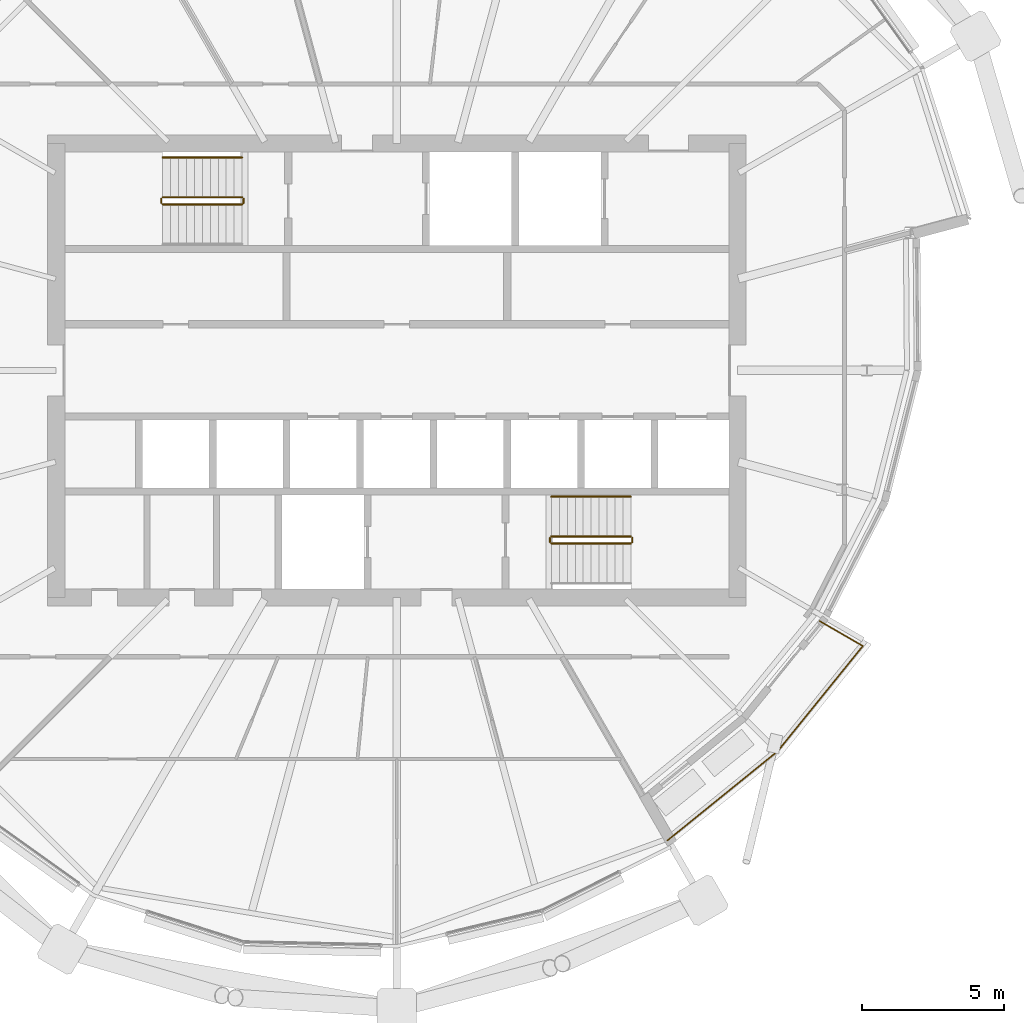
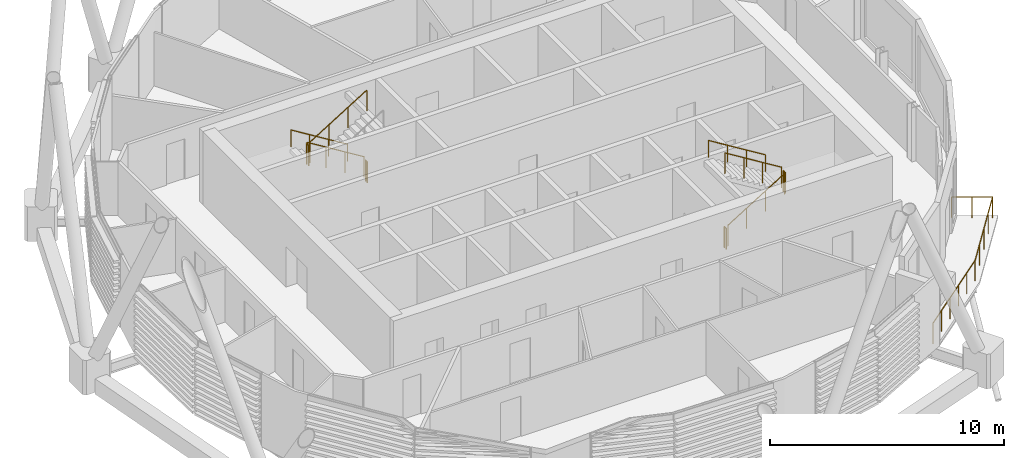
# One storey, part 34 of 36: 11 railings.
"""IFC4 building model written with IfcOpenShell, lengths in metres."""

from ifc_helpers import new_model, si_unit, direction, frame, origin, origin_2d, place, context, subcontext, project, spatial, circle, extrude, material, type_object, element, save


model = new_model("IFC4")

# Units and contexts
model_context = context("Model", 3, precision=1e-05, world=origin(), true_north=direction((0.0, 1.0)))
body_context = subcontext(model_context, "Body", "Model", "MODEL_VIEW")
ifc_project = project(units=[si_unit("LENGTHUNIT", "METRE"), si_unit("AREAUNIT", "SQUARE_METRE"), si_unit("VOLUMEUNIT", "CUBIC_METRE"), si_unit("PLANEANGLEUNIT", "RADIAN"), si_unit("MASSUNIT", "GRAM", prefix="KILO")], contexts=[model_context])

# Site, building, storey
site_placement = place(None, origin())
site = spatial("IfcSite", under=ifc_project, at=site_placement, CompositionType="ELEMENT")
building_placement = place(site_placement, origin())
building = spatial("IfcBuilding", under=site, at=building_placement, Name="Rimbun Link Towers", CompositionType="ELEMENT")
storey_placement = place(building_placement, frame((0.0, 0.0, 193.10009765625)))
storey = spatial("IfcBuildingStorey", under=building, at=storey_placement, Name="L47", CompositionType="ELEMENT", Elevation=193.10009765625)

# Railings
ifc_material_1 = material(Name="Stainless steel grade 316", Category="steel")
railing_type_1 = type_object("IfcRailingType", Name="GUARD stainless rail and posts", PredefinedType="GUARDRAIL", material=ifc_material_1)
railing_1_placement = place(storey_placement, frame((41.28076171875, -16.5703125, 0.0)))
element("IfcRailing", 1, at=railing_1_placement, inside=storey, type_object=railing_type_1, Name="GUARD", PredefinedType="GUARDRAIL", context=body_context, shape_type="SweptSolid", body=[
    extrude(circle(Radius=0.02392578125, at=origin_2d()), frame((0.0, 0.0, 1.076171875), z_axis=(0.777306205441, 0.62912245468, 0.0), x_axis=(-0.62912245468, 0.777306205441, 0.0)), (0.0, 0.0, 1.0), 5.00537109375),
    extrude(circle(Radius=0.02392578125, at=origin_2d()), frame((3.890625, 3.14892578125, 1.076171875), z_axis=(0.62914670586, 0.777286576821, 0.0), x_axis=(-0.777286576821, 0.62914670586, 0.0)), (0.0, 0.0, 1.0), 4.77099609375),
    extrude(circle(Radius=0.02392578125, at=origin_2d()), frame((6.892333984375, 6.857421875, 1.076171875), z_axis=(-0.865996792572, 0.500049552799, 0.0), x_axis=(-0.500049552799, -0.865996792572, 0.0)), (0.0, 0.0, 1.0), 1.765869140625),
    extrude(circle(Radius=0.02099609375, at=origin_2d()), origin(), (0.0, 0.0, 1.0), 1.052001953125),
    extrude(circle(Radius=0.02099609375, at=origin_2d()), frame((0.778076171875, 0.6298828125, 0.0)), (0.0, 0.0, 1.0), 1.052001953125),
    extrude(circle(Radius=0.02099609375, at=origin_2d()), frame((1.55615234375, 1.259521484375, 0.0)), (0.0, 0.0, 1.0), 1.052001953125),
    extrude(circle(Radius=0.02099609375, at=origin_2d()), frame((2.33447265625, 1.889404296875, 0.0)), (0.0, 0.0, 1.0), 1.052001953125),
    extrude(circle(Radius=0.02099609375, at=origin_2d()), frame((3.112548828125, 2.51904296875, 0.0)), (0.0, 0.0, 1.0), 1.052001953125),
    extrude(circle(Radius=0.02099609375, at=origin_2d()), frame((3.890625, 3.14892578125, 0.0)), (0.0, 0.0, 1.0), 1.052001953125),
    extrude(circle(Radius=0.02099609375, at=origin_2d()), frame((4.64111328125, 4.076171875, 0.0)), (0.0, 0.0, 1.0), 1.052001953125),
    extrude(circle(Radius=0.02099609375, at=origin_2d()), frame((5.3916015625, 5.003173828125, 0.0)), (0.0, 0.0, 1.0), 1.052001953125),
    extrude(circle(Radius=0.02099609375, at=origin_2d()), frame((6.141845703125, 5.93017578125, 0.0)), (0.0, 0.0, 1.0), 1.052001953125),
    extrude(circle(Radius=0.02099609375, at=origin_2d()), frame((6.892333984375, 6.857421875, 0.0)), (0.0, 0.0, 1.0), 1.052001953125),
    extrude(circle(Radius=0.02099609375, at=origin_2d()), frame((6.127685546875, 7.298828125, 0.0)), (0.0, 0.0, 1.0), 1.052001953125),
    extrude(circle(Radius=0.02099609375, at=origin_2d()), frame((5.363037109375, 7.740478515625, 0.0)), (0.0, 0.0, 1.0), 1.052001953125),
])
ifc_material_2 = material(Name="Stainless steel grade 316", Category="steel")
railing_type_2 = type_object("IfcRailingType", Name="Stair guard", PredefinedType="GUARDRAIL", material=ifc_material_2)
railing_2_placement = place(storey_placement, frame((26.300048828125, 6.10009765625, 0.172607421875)))
element("IfcRailing", 2, at=railing_2_placement, inside=storey, type_object=railing_type_2, Name="L47 ST3 stair guard 1", PredefinedType="GUARDRAIL", context=body_context, shape_type="SweptSolid", body=[
    extrude(circle(Radius=0.02392578125, at=origin_2d()), frame((0.0, 0.0, 1.076171875), z_axis=(-0.851089632645, 0.0, 0.525020415988), x_axis=(0.0, -1.0, 0.0)), (0.0, 0.0, 1.0), 3.2900390625),
    extrude(circle(Radius=0.02099609375, at=origin_2d()), origin(), (0.0, 0.0, 1.0), 1.052001953125),
    extrude(circle(Radius=0.02099609375, at=origin_2d()), frame((-0.933349609375, 0.0, 0.57568359375)), (0.0, 0.0, 1.0), 1.052001953125),
    extrude(circle(Radius=0.02099609375, at=origin_2d()), frame((-1.86669921875, 0.0, 1.151611328125)), (0.0, 0.0, 1.0), 1.052001953125),
    extrude(circle(Radius=0.02099609375, at=origin_2d()), frame((-2.800048828125, 0.0, 1.727294921875)), (0.0, 0.0, 1.0), 1.052001953125),
])
railing_3_placement = place(storey_placement, frame((23.449951171875, 6.050048828125, 1.89990234375)))
element("IfcRailing", 3, at=railing_3_placement, inside=storey, type_object=railing_type_2, Name="L47 ST3 stair guard 2", PredefinedType="GUARDRAIL", context=body_context, shape_type="SweptSolid", body=[
    extrude(circle(Radius=0.02392578125, at=origin_2d()), frame((0.0, 0.0, 1.076171875), z_axis=(0.0, -1.0, 0.0), x_axis=(1.0, 0.0, 0.0)), (0.0, 0.0, 1.0), 0.150146484375),
    extrude(circle(Radius=0.02099609375, at=origin_2d()), origin(), (0.0, 0.0, 1.0), 1.052001953125),
    extrude(circle(Radius=0.02099609375, at=origin_2d()), frame((0.0, -0.150146484375, 0.0)), (0.0, 0.0, 1.0), 1.052001953125),
])
railing_4_placement = place(storey_placement, frame((23.5, 5.85009765625, 2.072509765625)))
element("IfcRailing", 4, at=railing_4_placement, inside=storey, type_object=railing_type_2, Name="L47 ST3 stair guard 3", PredefinedType="GUARDRAIL", context=body_context, shape_type="SweptSolid", body=[
    extrude(circle(Radius=0.02392578125, at=origin_2d()), frame((0.0, 0.0, 1.076171875), z_axis=(0.851089632645, 0.0, 0.525020415988), x_axis=(0.0, 1.0, 0.0)), (0.0, 0.0, 1.0), 3.2900390625),
    extrude(circle(Radius=0.02099609375, at=origin_2d()), origin(), (0.0, 0.0, 1.0), 1.052001953125),
    extrude(circle(Radius=0.02099609375, at=origin_2d()), frame((0.933349609375, 0.0, 0.57568359375)), (0.0, 0.0, 1.0), 1.052001953125),
    extrude(circle(Radius=0.02099609375, at=origin_2d()), frame((1.86669921875, 0.0, 1.151611328125)), (0.0, 0.0, 1.0), 1.052001953125),
    extrude(circle(Radius=0.02099609375, at=origin_2d()), frame((2.800048828125, 0.0, 1.727294921875)), (0.0, 0.0, 1.0), 1.052001953125),
])
railing_5_placement = place(storey_placement, frame((26.35009765625, 6.050048828125, 0.0)))
element("IfcRailing", 5, at=railing_5_placement, inside=storey, type_object=railing_type_2, Name="L47 ST3 stair guard 4", PredefinedType="GUARDRAIL", context=body_context, shape_type="SweptSolid", body=[
    extrude(circle(Radius=0.02392578125, at=origin_2d()), frame((0.0, 0.0, 1.076171875), z_axis=(0.0, -1.0, 0.0), x_axis=(1.0, 0.0, 0.0)), (0.0, 0.0, 1.0), 0.150146484375),
    extrude(circle(Radius=0.02099609375, at=origin_2d()), origin(), (0.0, 0.0, 1.0), 1.052001953125),
    extrude(circle(Radius=0.02099609375, at=origin_2d()), frame((0.0, -0.150146484375, 0.0)), (0.0, 0.0, 1.0), 1.052001953125),
])
railing_6_placement = place(storey_placement, frame((37.199951171875, -6.10009765625, 0.172607421875)))
element("IfcRailing", 6, at=railing_6_placement, inside=storey, type_object=railing_type_2, Name="L47 ST4 stair guard 1", PredefinedType="GUARDRAIL", context=body_context, shape_type="SweptSolid", body=[
    extrude(circle(Radius=0.02392578125, at=origin_2d()), frame((0.0, 0.0, 1.076171875), z_axis=(0.851089632645, 0.0, 0.525020415988), x_axis=(0.0, 1.0, 0.0)), (0.0, 0.0, 1.0), 3.2900390625),
    extrude(circle(Radius=0.02099609375, at=origin_2d()), origin(), (0.0, 0.0, 1.0), 1.052001953125),
    extrude(circle(Radius=0.02099609375, at=origin_2d()), frame((0.933349609375, 0.0, 0.57568359375)), (0.0, 0.0, 1.0), 1.052001953125),
    extrude(circle(Radius=0.02099609375, at=origin_2d()), frame((1.86669921875, 0.0, 1.151611328125)), (0.0, 0.0, 1.0), 1.052001953125),
    extrude(circle(Radius=0.02099609375, at=origin_2d()), frame((2.800048828125, 0.0, 1.727294921875)), (0.0, 0.0, 1.0), 1.052001953125),
])
railing_7_placement = place(storey_placement, frame((40.050048828125, -6.050048828125, 1.89990234375)))
element("IfcRailing", 7, at=railing_7_placement, inside=storey, type_object=railing_type_2, Name="L47 ST4 stair guard 2", PredefinedType="GUARDRAIL", context=body_context, shape_type="SweptSolid", body=[
    extrude(circle(Radius=0.02392578125, at=origin_2d()), frame((0.0, 0.0, 1.076171875), z_axis=(0.0, 1.0, 0.0), x_axis=(-1.0, 0.0, 0.0)), (0.0, 0.0, 1.0), 0.150146484375),
    extrude(circle(Radius=0.02099609375, at=origin_2d()), origin(), (0.0, 0.0, 1.0), 1.052001953125),
    extrude(circle(Radius=0.02099609375, at=origin_2d()), frame((0.0, 0.150146484375, 0.0)), (0.0, 0.0, 1.0), 1.052001953125),
])
railing_8_placement = place(storey_placement, frame((40.0, -5.85009765625, 2.072509765625)))
element("IfcRailing", 8, at=railing_8_placement, inside=storey, type_object=railing_type_2, Name="L47 ST4 stair guard 3", PredefinedType="GUARDRAIL", context=body_context, shape_type="SweptSolid", body=[
    extrude(circle(Radius=0.02392578125, at=origin_2d()), frame((0.0, 0.0, 1.076171875), z_axis=(-0.851089632645, 0.0, 0.525020415988), x_axis=(0.0, -1.0, 0.0)), (0.0, 0.0, 1.0), 3.2900390625),
    extrude(circle(Radius=0.02099609375, at=origin_2d()), origin(), (0.0, 0.0, 1.0), 1.052001953125),
    extrude(circle(Radius=0.02099609375, at=origin_2d()), frame((-0.933349609375, 0.0, 0.57568359375)), (0.0, 0.0, 1.0), 1.052001953125),
    extrude(circle(Radius=0.02099609375, at=origin_2d()), frame((-1.86669921875, 0.0, 1.151611328125)), (0.0, 0.0, 1.0), 1.052001953125),
    extrude(circle(Radius=0.02099609375, at=origin_2d()), frame((-2.800048828125, 0.0, 1.727294921875)), (0.0, 0.0, 1.0), 1.052001953125),
])
railing_9_placement = place(storey_placement, frame((37.14990234375, -6.050048828125, 0.0)))
element("IfcRailing", 9, at=railing_9_placement, inside=storey, type_object=railing_type_2, Name="L47 ST4 stair guard 4", PredefinedType="GUARDRAIL", context=body_context, shape_type="SweptSolid", body=[
    extrude(circle(Radius=0.02392578125, at=origin_2d()), frame((0.0, 0.0, 1.076171875), z_axis=(0.0, 1.0, 0.0), x_axis=(-1.0, 0.0, 0.0)), (0.0, 0.0, 1.0), 0.150146484375),
    extrude(circle(Radius=0.02099609375, at=origin_2d()), origin(), (0.0, 0.0, 1.0), 1.052001953125),
    extrude(circle(Radius=0.02099609375, at=origin_2d()), frame((0.0, 0.150146484375, 0.0)), (0.0, 0.0, 1.0), 1.052001953125),
])
ifc_material_3 = material(Name="Stainless steel grade 316", Category="steel")
railing_type_3 = type_object("IfcRailingType", Name="Stair handrail", PredefinedType="HANDRAIL", material=ifc_material_3)
for number, where, name in (
    (10, (26.300048828125, 7.5, 0.172607421875), "L47 ST3 stair handrail 1"),
    (11, (40.0, -4.449951171875, 2.072509765625), "L47 ST4 stair handrail 2"),
):
    element("IfcRailing", number, at=place(storey_placement, frame(where)), inside=storey, type_object=railing_type_3, Name=name, PredefinedType="HANDRAIL", context=body_context, shape_type="SweptSolid", body=[
        extrude(circle(Radius=0.02392578125, at=origin_2d()), frame((0.0, 0.0, 0.8759765625), z_axis=(-0.851089632645, 0.0, 0.525020415988), x_axis=(0.0, -1.0, 0.0)), (0.0, 0.0, 1.0), 3.2900390625),
        extrude(circle(Radius=0.02099609375, at=origin_2d()), origin(), (0.0, 0.0, 1.0), 0.851806640625),
        extrude(circle(Radius=0.02099609375, at=origin_2d()), frame((-0.933349609375, 0.0, 0.57568359375)), (0.0, 0.0, 1.0), 0.851806640625),
        extrude(circle(Radius=0.02099609375, at=origin_2d()), frame((-1.86669921875, 0.0, 1.151611328125)), (0.0, 0.0, 1.0), 0.851806640625),
        extrude(circle(Radius=0.02099609375, at=origin_2d()), frame((-2.800048828125, 0.0, 1.727294921875)), (0.0, 0.0, 1.0), 0.851806640625),
    ])

save(model, "model.ifc")
